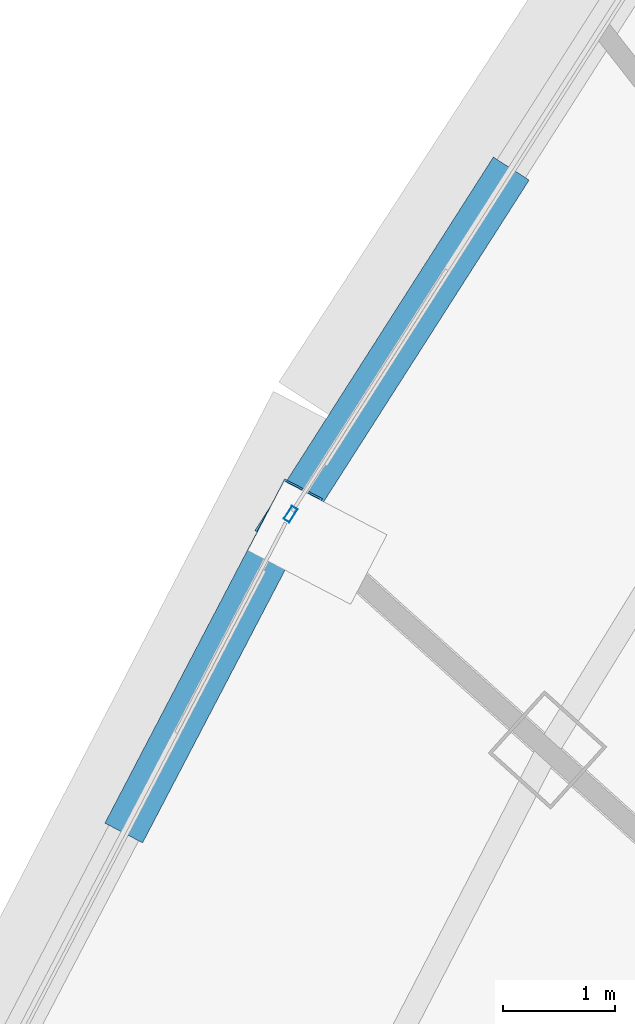
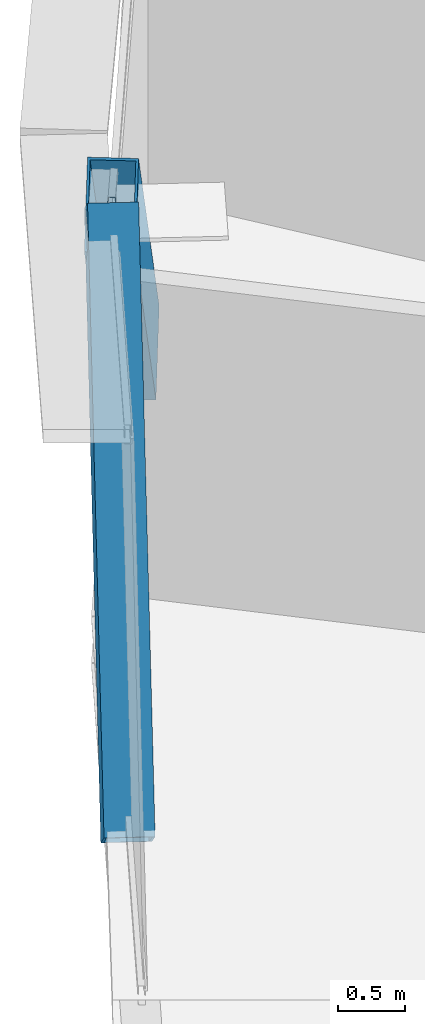
# One storey, part 18 of 39: 3 members, 1 element without a shape of its own.
"""IFC4 building model written with IfcOpenShell, lengths in metres."""

from ifc_helpers import new_model, si_unit, direction, frame, origin, origin_2d, place, context, subcontext, project, spatial, hollow_rectangle, extrude, source, transform, mapped, material, layer, layer_set, material_profile, profile_set, type_object, element, aggregate, save


model = new_model("IFC4")

# Units and contexts
model_context = context("Model", 3, precision=1e-05, world=origin(), true_north=direction((0.0, 1.0)))
body_context = subcontext(model_context, "Body", "Model", "MODEL_VIEW")
ifc_project = project(units=[si_unit("LENGTHUNIT", "METRE"), si_unit("AREAUNIT", "SQUARE_METRE"), si_unit("VOLUMEUNIT", "CUBIC_METRE"), si_unit("PLANEANGLEUNIT", "RADIAN"), si_unit("MASSUNIT", "GRAM", prefix="KILO"), si_unit("THERMODYNAMICTEMPERATUREUNIT", "KELVIN"), si_unit("POWERUNIT", "WATT")], contexts=[model_context])

# Site, building, storey
site_placement = place(None, origin())
site = spatial("IfcSite", under=ifc_project, at=site_placement, CompositionType="ELEMENT")
building_placement = place(site_placement, origin())
building = spatial("IfcBuilding", under=site, at=building_placement, Name="Yunzhuo Pagoda Commons", CompositionType="ELEMENT")
storey_placement = place(building_placement, frame((0.0, 0.0, 285.02001953125)))
storey = spatial("IfcBuildingStorey", under=building, at=storey_placement, Name="L71", CompositionType="ELEMENT", Elevation=285.02001953125)

# Members
ifc_material_1 = material(Name="Structural steel Q355B", Category="steel")
ifc_material_profile_1 = material_profile(ifc_material_1, hollow_rectangle(XDim=0.3798828125, YDim=0.719970703125, WallThickness=0.02001953125, at=origin_2d()), Name="Structural steel Q355B")
ifc_profile_set_1 = profile_set([ifc_material_profile_1], Name="Structural steel Q355B")
member_type_1 = type_object("IfcMemberType", Name="M-DL3 Brace BOX 720x380x20", PredefinedType="BRACE", material=ifc_profile_set_1)
shared_shape_1 = source(origin(), body_context, "Body", "SweptSolid", [
    extrude(hollow_rectangle(XDim=0.3798828125, YDim=0.719970703125, WallThickness=0.02001953125, at=origin_2d()), origin(), (0.0, 0.0, 1.0), 4.723388671875),
])
member_1_placement = place(storey_placement, frame((25.77587890625, 49.934326171875, -0.260009765625), z_axis=(0.284024371624, 0.543807172676, 0.789685959904), x_axis=(-0.886384969123, 0.462948902702, 0.0)))
element("IfcMember", 1, at=member_1_placement, inside=storey, type_object=member_type_1, Name="L71 facade diamond brace F3.2L", PredefinedType="BRACE", context=body_context, shape_type="MappedRepresentation", body=[
    mapped(shared_shape_1, transform((0.0, 0.0, 0.0), scale=1.0)),
])
shared_shape_2 = source(origin(), body_context, "Body", "SweptSolid", [
    extrude(hollow_rectangle(XDim=0.3798828125, YDim=0.719970703125, WallThickness=0.02001953125, at=origin_2d()), origin(), (0.0, 0.0, 1.0), 5.063232421875),
])
member_2_placement = place(storey_placement, frame((28.960205078125, 55.388671875, -0.260009765625), z_axis=(-0.363953723207, -0.569943429824, 0.736683225114), x_axis=(0.842814858181, -0.538203599793, 0.0)))
element("IfcMember", 2, at=member_2_placement, inside=storey, type_object=member_type_1, Name="L71 facade diamond brace F3.1R", PredefinedType="BRACE", context=body_context, shape_type="MappedRepresentation", body=[
    mapped(shared_shape_2, transform((0.0, 0.0, 0.0), scale=1.0)),
])

# Curtain wall, member
ifc_material_2 = material(Name="Anodized aluminium 6063-T6", Category="aluminium")
ifc_layer = layer(ifc_material_2, 0.139892578125)
ifc_layer_set = layer_set([ifc_layer], Name="Anodized aluminium 6063-T6")
curtain_wall_type = type_object("IfcCurtainWallType", Name="CW-HI High-Zone Ribbon Curtain Wall", PredefinedType="NOTDEFINED", material=ifc_layer_set)
curtain_wall_placement = place(storey_placement, origin())
curtain_wall = element("IfcCurtainWall", 3, at=curtain_wall_placement, inside=storey, type_object=curtain_wall_type, Name="L71 curtain wall CW-L71-F3B2", PredefinedType="NOTDEFINED")
ifc_material_profile_2 = material_profile(ifc_material_2, hollow_rectangle(XDim=0.06005859375, YDim=0.139892578125, WallThickness=0.00341796875, at=origin_2d()), Name="Anodized aluminium 6063-T6")
ifc_profile_set_2 = profile_set([ifc_material_profile_2], Name="Anodized aluminium 6063-T6")
member_type_2 = type_object("IfcMemberType", Name="CW-HI-M Mullion RHS 140x60x3.5", PredefinedType="MULLION", material=ifc_profile_set_2)
shared_shape_3 = source(origin(), body_context, "Body", "SweptSolid", [
    extrude(hollow_rectangle(XDim=0.06005859375, YDim=0.139892578125, WallThickness=0.00341796875, at=origin_2d()), origin(), (0.0, 0.0, 1.0), 3.4697265625),
])
member_3_placement = place(storey_placement, frame((27.133544921875, 52.528076171875, 0.000244140625), z_axis=(0.0, 0.0, 1.0), x_axis=(0.842779157761, -0.538259501768, 0.0)))
member_3 = element("IfcMember", 4, at=member_3_placement, type_object=member_type_2, Name="CW mullion 2", PredefinedType="MULLION", context=body_context, shape_type="MappedRepresentation", body=[
    mapped(shared_shape_3, transform((0.0, 0.0, 0.0), scale=1.0)),
])
aggregate(curtain_wall, [member_3])

save(model, "model.ifc")
